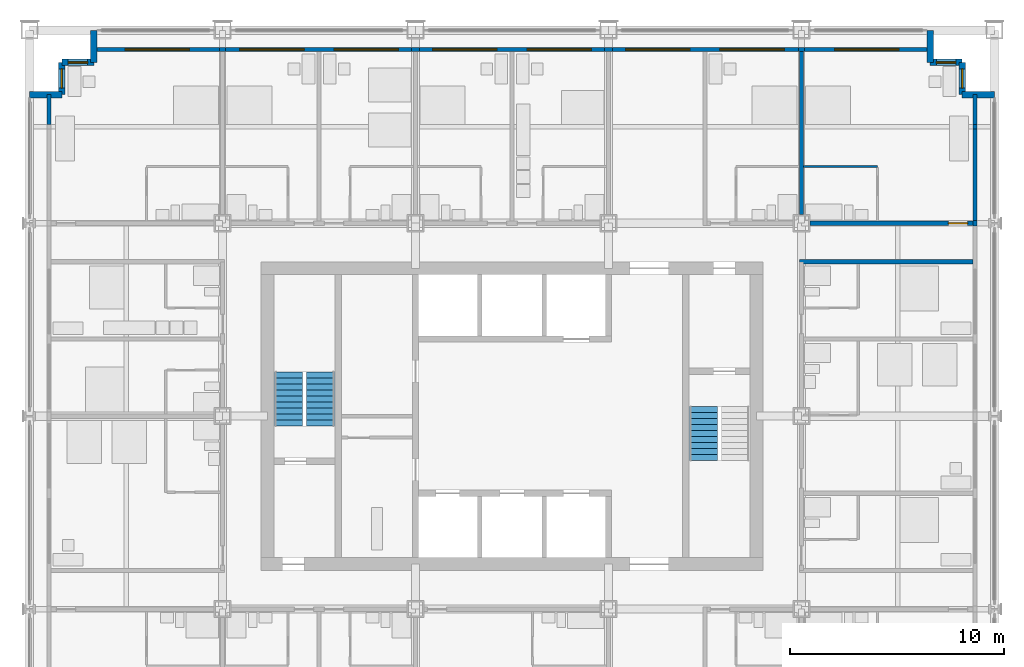
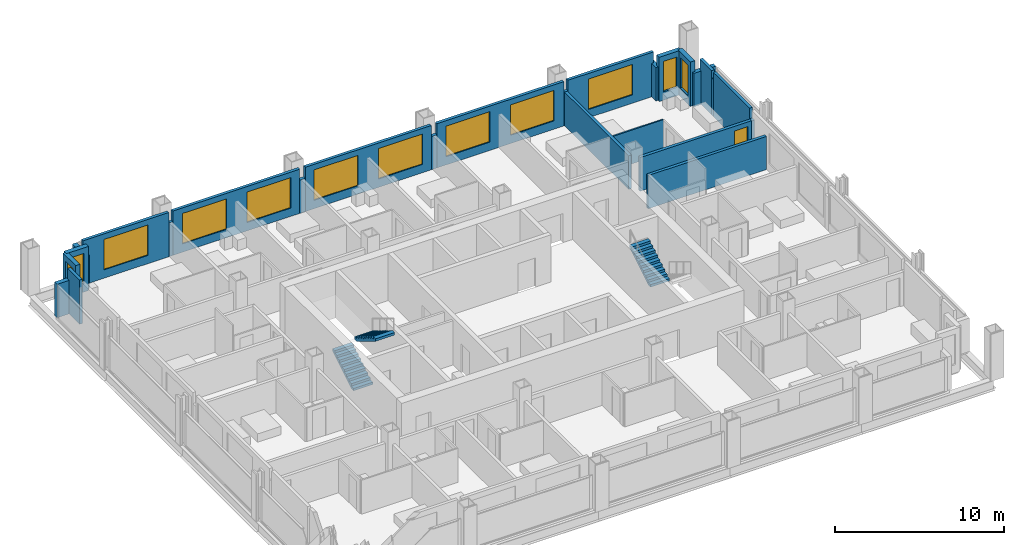
# One storey, part 13 of 17: 26 walls, 12 windows, 3 stair flights, 1 door, 13 openings, 2 elements without a shape of their own.
"""IFC4 building model written with IfcOpenShell, lengths in metres."""

from ifc_helpers import new_model, si_unit, direction, frame, frame_2d, origin, place, context, subcontext, project, spatial, polyline, rectangle, outline, extrude, material, layer, layer_set, type_object, element, fill, aggregate, save


model = new_model("IFC4")

# Units and contexts
model_context = context("Model", 3, precision=1e-05, world=origin(), true_north=direction((0.0, 1.0)))
body_context = subcontext(model_context, "Body", "Model", "MODEL_VIEW")
ifc_project = project(units=[si_unit("LENGTHUNIT", "METRE"), si_unit("AREAUNIT", "SQUARE_METRE"), si_unit("VOLUMEUNIT", "CUBIC_METRE"), si_unit("PLANEANGLEUNIT", "RADIAN"), si_unit("MASSUNIT", "GRAM", prefix="KILO")], contexts=[model_context])

# Site, building, storey
site_placement = place(None, origin())
site = spatial("IfcSite", under=ifc_project, at=site_placement, CompositionType="ELEMENT")
building_placement = place(site_placement, origin())
building = spatial("IfcBuilding", under=site, at=building_placement, Name="Loomwork Tower", CompositionType="ELEMENT")
storey_placement = place(building_placement, frame((0.0, 0.0, 141.800048828125)))
storey = spatial("IfcBuildingStorey", under=building, at=storey_placement, Name="L38", CompositionType="ELEMENT", Elevation=141.800048828125)

# Wall, opening, door
ifc_material_1 = material(Name="Gypsum board on steel studs, one-hour", Category="steel")
ifc_layer_1 = layer(ifc_material_1, 0.199951171875)
ifc_layer_set_1 = layer_set([ifc_layer_1], Name="Corridor wall 200")
wall_type_1 = type_object("IfcWallType", Name="Corridor wall 200", PredefinedType="PARTITIONING", material=ifc_layer_set_1)
wall_1_placement = place(storey_placement, frame((36.39990234375, 27.0, 0.0), z_axis=(0.0, 0.0, 1.0), x_axis=(1.0, 0.0, 0.0)))
wall_1 = element("IfcWall", 1, at=wall_1_placement, inside=storey, type_object=wall_type_1, Name="North corridor wall 5", PredefinedType="PARTITIONING", context=body_context, shape_type="SweptSolid", body=[
    extrude(rectangle(XDim=7.60009765625, YDim=0.199951171875, at=frame_2d((3.800048828125, 0.0))), origin(), (0.0, 0.0, 1.0), 2.43798828125),
])
opening_1_placement = place(wall_1_placement, frame((6.449951171875, 0.0, 0.0)))
opening_1 = element("IfcOpeningElement", 2, at=opening_1_placement, cuts=wall_1, Name="Opening D1", PredefinedType="OPENING", context=body_context, shape_type="SweptSolid", body=[
    extrude(rectangle(XDim=0.89990234375, YDim=2.10009765625, at=frame_2d((0.449951171875, 1.050048828125))), frame((0.0, 0.10986328125, 0.0), z_axis=(0.0, -1.0, 0.0), x_axis=(1.0, 0.0, 0.0)), (0.0, 0.0, 1.0), 0.219970703125),
])
ifc_material_2 = material(Name="Hollow metal door and frame")
door_type = type_object("IfcDoorType", Name="Guest room entry door 900", OperationType="SINGLE_SWING_LEFT", PredefinedType="DOOR", material=ifc_material_2)
door_placement = place(opening_1_placement, origin())
door = element("IfcDoor", 3, at=door_placement, inside=storey, type_object=door_type, Name="Guest room entry door L38 13", OperationType="SINGLE_SWING_RIGHT", OverallHeight=2.10009765625, OverallWidth=0.89990234375, PredefinedType="DOOR", context=body_context, shape_type="SweptSolid", body=[
    extrude(rectangle(XDim=0.89990234375, YDim=2.10009765625, at=frame_2d((0.449951171875, 1.050048828125))), frame((0.0, 0.02490234375, 0.0), z_axis=(0.0, -1.0, 0.0), x_axis=(1.0, 0.0, 0.0)), (0.0, 0.0, 1.0), 0.050048828125),
])
fill(opening_1, door)

# Walls
wall_2_placement = place(storey_placement, frame((35.89990234375, 25.199951171875, 0.0), z_axis=(0.0, 0.0, 1.0), x_axis=(1.0, 0.0, 0.0)))
element("IfcWall", 4, at=wall_2_placement, inside=storey, type_object=wall_type_1, Name="East band end wall N", PredefinedType="PARTITIONING", context=body_context, shape_type="SweptSolid", body=[
    extrude(rectangle(XDim=8.10009765625, YDim=0.199951171875, at=frame_2d((4.050048828125, 0.0))), origin(), (0.0, 0.0, 1.0), 2.404052734375),
])
ifc_material_3 = material(Name="Cement board on steel studs", Category="steel")
ifc_layer_2 = layer(ifc_material_3, 0.10009765625)
ifc_layer_set_2 = layer_set([ifc_layer_2], Name="En-suite partition 100")
wall_type_2 = type_object("IfcWallType", Name="En-suite partition 100", PredefinedType="PARTITIONING", material=ifc_layer_set_2)
wall_3_placement = place(storey_placement, frame((36.10009765625, 29.64990234375, 0.0), z_axis=(0.0, 0.0, 1.0), x_axis=(1.0, 0.0, 0.0)))
element("IfcWall", 5, at=wall_3_placement, inside=storey, type_object=wall_type_2, Name="En-suite wall L38 room 13", PredefinedType="PARTITIONING", context=body_context, shape_type="SweptSolid", body=[
    extrude(rectangle(XDim=3.449951171875, YDim=0.10009765625, at=frame_2d((1.72509765625, 0.0))), origin(), (0.0, 0.0, 1.0), 2.43798828125),
])
ifc_material_4 = material(Name="Gypsum board on steel studs, acoustic", Category="steel")
ifc_layer_3 = layer(ifc_material_4, 0.199951171875)
ifc_layer_set_3 = layer_set([ifc_layer_3], Name="Guest room party wall 200")
wall_type_3 = type_object("IfcWallType", Name="Guest room party wall 200", PredefinedType="PARTITIONING", material=ifc_layer_set_3)
wall_4_placement = place(storey_placement, frame((36.0, 27.39990234375, 0.0), z_axis=(0.0, 0.0, 1.0), x_axis=(0.0, 1.0, 0.0)))
element("IfcWall", 6, at=wall_4_placement, inside=storey, type_object=wall_type_3, Name="Guest room party wall N 36", PredefinedType="PARTITIONING", context=body_context, shape_type="SweptSolid", body=[
    extrude(rectangle(XDim=7.60009765625, YDim=0.199951171875, at=frame_2d((3.800048828125, 0.0))), origin(), (0.0, 0.0, 1.0), 2.43798828125),
])

# Wall, opening, window
ifc_material_5 = material(Name="Insulated steel stud wall with gypsum lining", Category="steel")
ifc_layer_4 = layer(ifc_material_5, 0.199951171875)
ifc_layer_set_4 = layer_set([ifc_layer_4], Name="Inner skin wall 200")
wall_type_4 = type_object("IfcWallType", Name="Inner skin wall 200", PredefinedType="SOLIDWALL", material=ifc_layer_set_4)
wall_5_placement = place(storey_placement, frame((3.0, 35.10009765625, 0.0), z_axis=(0.0, 0.0, 1.0), x_axis=(1.0, 0.0, 0.0)))
wall_5 = element("IfcWall", 7, at=wall_5_placement, inside=storey, type_object=wall_type_4, Name="Inner skin wall N", PredefinedType="SOLIDWALL", context=body_context, shape_type="SweptSolid", body=[
    extrude(rectangle(XDim=5.86474609375, YDim=0.199951171875, at=frame_2d((2.932373046875, 0.0))), origin(), (0.0, 0.0, 1.0), 3.199951171875),
])
opening_2_placement = place(wall_5_placement, frame((1.449951171875, 0.0, 0.60009765625)))
opening_2 = element("IfcOpeningElement", 8, at=opening_2_placement, cuts=wall_5, Name="Opening CH1", PredefinedType="OPENING", context=body_context, shape_type="SweptSolid", body=[
    extrude(rectangle(XDim=3.0, YDim=2.199951171875, at=frame_2d((1.5, 1.10009765625))), frame((0.0, 0.10986328125, 0.0), z_axis=(0.0, -1.0, 0.0), x_axis=(1.0, 0.0, 0.0)), (0.0, 0.0, 1.0), 0.219970703125),
])
ifc_material_6 = material(Name="Aluminium frame with clear insulated glass", Category="aluminium")
window_type_1 = type_object("IfcWindowType", Name="Chicago window 3000", PartitioningType="TRIPLE_PANEL_VERTICAL", PredefinedType="WINDOW", material=ifc_material_6)
window_1_placement = place(opening_2_placement, origin())
window_1 = element("IfcWindow", 9, at=window_1_placement, inside=storey, type_object=window_type_1, Name="Chicago window L38 bay 6", OverallHeight=2.199951171875, OverallWidth=3.0, PartitioningType="TRIPLE_PANEL_VERTICAL", PredefinedType="WINDOW", context=body_context, shape_type="SweptSolid", body=[
    extrude(rectangle(XDim=3.0, YDim=2.199951171875, at=frame_2d((1.5, 1.10009765625))), frame((0.0, 0.030029296875, 0.0), z_axis=(0.0, -1.0, 0.0), x_axis=(1.0, 0.0, 0.0)), (0.0, 0.0, 1.0), 0.06005859375),
])
fill(opening_2, window_1)

# Walls
wall_6_placement = place(storey_placement, frame((0.89990234375, 31.607421875, 0.0), z_axis=(0.0, 0.0, 1.0), x_axis=(0.0, 1.0, 0.0)))
element("IfcWall", 10, at=wall_6_placement, inside=storey, type_object=wall_type_4, Name="Inner skin wall W bay 11", PredefinedType="SOLIDWALL", context=body_context, shape_type="SweptSolid", body=[
    extrude(rectangle(XDim=1.392578125, YDim=0.199951171875, at=frame_2d((0.6962890625, 0.0))), origin(), (0.0, 0.0, 1.0), 3.199951171875),
])
wall_7_placement = place(storey_placement, frame((8.86474609375, 35.10009765625, 0.0), z_axis=(0.0, 0.0, 1.0), x_axis=(1.0, 0.0, 0.0)))
element("IfcWall", 11, at=wall_7_placement, inside=storey, type_object=wall_type_4, Name="Inner skin wall N bay 2", PredefinedType="SOLIDWALL", context=body_context, shape_type="SweptSolid", body=[
    extrude(rectangle(XDim=0.2705078125, YDim=0.199951171875, at=frame_2d((0.13525390625, 0.0))), origin(), (0.0, 0.0, 1.0), 2.43798828125),
])

# Wall, openings, windows
wall_8_placement = place(storey_placement, frame((9.13525390625, 35.10009765625, 0.0), z_axis=(0.0, 0.0, 1.0), x_axis=(1.0, 0.0, 0.0)))
wall_8 = element("IfcWall", 12, at=wall_8_placement, inside=storey, type_object=wall_type_4, Name="Inner skin wall N bay 3", PredefinedType="SOLIDWALL", context=body_context, shape_type="SweptSolid", body=[
    extrude(rectangle(XDim=8.6708984375, YDim=0.199951171875, at=frame_2d((4.33544921875, 0.0))), origin(), (0.0, 0.0, 1.0), 3.199951171875),
])
opening_3_placement = place(wall_8_placement, frame((0.664794921875, 0.0, 0.60009765625)))
opening_3 = element("IfcOpeningElement", 13, at=opening_3_placement, cuts=wall_8, Name="Opening CH1", PredefinedType="OPENING", context=body_context, shape_type="SweptSolid", body=[
    extrude(rectangle(XDim=3.0, YDim=2.199951171875, at=frame_2d((1.5, 1.10009765625))), frame((0.0, 0.10986328125, 0.0), z_axis=(0.0, -1.0, 0.0), x_axis=(1.0, 0.0, 0.0)), (0.0, 0.0, 1.0), 0.219970703125),
])
opening_4_placement = place(wall_8_placement, frame((5.064697265625, 0.0, 0.60009765625)))
opening_4 = element("IfcOpeningElement", 14, at=opening_4_placement, cuts=wall_8, Name="Opening CH1", PredefinedType="OPENING", context=body_context, shape_type="SweptSolid", body=[
    extrude(rectangle(XDim=3.0, YDim=2.199951171875, at=frame_2d((1.5, 1.10009765625))), frame((0.0, 0.10986328125, 0.0), z_axis=(0.0, -1.0, 0.0), x_axis=(1.0, 0.0, 0.0)), (0.0, 0.0, 1.0), 0.219970703125),
])
window_2_placement = place(opening_3_placement, origin())
window_2 = element("IfcWindow", 15, at=window_2_placement, inside=storey, type_object=window_type_1, Name="Chicago window L38 bay 7", OverallHeight=2.199951171875, OverallWidth=3.0, PartitioningType="TRIPLE_PANEL_VERTICAL", PredefinedType="WINDOW", context=body_context, shape_type="SweptSolid", body=[
    extrude(rectangle(XDim=3.0, YDim=2.199951171875, at=frame_2d((1.5, 1.10009765625))), frame((0.0, 0.030029296875, 0.0), z_axis=(0.0, -1.0, 0.0), x_axis=(1.0, 0.0, 0.0)), (0.0, 0.0, 1.0), 0.06005859375),
])
fill(opening_3, window_2)
window_3_placement = place(opening_4_placement, origin())
window_3 = element("IfcWindow", 16, at=window_3_placement, inside=storey, type_object=window_type_1, Name="Chicago window L38 bay 7", OverallHeight=2.199951171875, OverallWidth=3.0, PartitioningType="TRIPLE_PANEL_VERTICAL", PredefinedType="WINDOW", context=body_context, shape_type="SweptSolid", body=[
    extrude(rectangle(XDim=3.0, YDim=2.199951171875, at=frame_2d((1.5, 1.10009765625))), frame((0.0, 0.030029296875, 0.0), z_axis=(0.0, -1.0, 0.0), x_axis=(1.0, 0.0, 0.0)), (0.0, 0.0, 1.0), 0.06005859375),
])
fill(opening_4, window_3)

# Wall
wall_9_placement = place(storey_placement, frame((17.80615234375, 35.10009765625, 0.0), z_axis=(0.0, 0.0, 1.0), x_axis=(1.0, 0.0, 0.0)))
element("IfcWall", 17, at=wall_9_placement, inside=storey, type_object=wall_type_4, Name="Inner skin wall N bay 4", PredefinedType="SOLIDWALL", context=body_context, shape_type="SweptSolid", body=[
    extrude(rectangle(XDim=0.3876953125, YDim=0.199951171875, at=frame_2d((0.19384765625, 0.0))), origin(), (0.0, 0.0, 1.0), 2.404052734375),
])

# Wall, openings, windows
wall_10_placement = place(storey_placement, frame((18.19384765625, 35.10009765625, 0.0), z_axis=(0.0, 0.0, 1.0), x_axis=(1.0, 0.0, 0.0)))
wall_10 = element("IfcWall", 18, at=wall_10_placement, inside=storey, type_object=wall_type_4, Name="Inner skin wall N bay 5", PredefinedType="SOLIDWALL", context=body_context, shape_type="SweptSolid", body=[
    extrude(rectangle(XDim=8.6123046875, YDim=0.199951171875, at=frame_2d((4.30615234375, 0.0))), origin(), (0.0, 0.0, 1.0), 3.199951171875),
])
opening_5_placement = place(wall_10_placement, frame((0.606201171875, 0.0, 0.60009765625)))
opening_5 = element("IfcOpeningElement", 19, at=opening_5_placement, cuts=wall_10, Name="Opening CH1", PredefinedType="OPENING", context=body_context, shape_type="SweptSolid", body=[
    extrude(rectangle(XDim=3.0, YDim=2.199951171875, at=frame_2d((1.5, 1.10009765625))), frame((0.0, 0.10986328125, 0.0), z_axis=(0.0, -1.0, 0.0), x_axis=(1.0, 0.0, 0.0)), (0.0, 0.0, 1.0), 0.219970703125),
])
opening_6_placement = place(wall_10_placement, frame((5.006103515625, 0.0, 0.60009765625)))
opening_6 = element("IfcOpeningElement", 20, at=opening_6_placement, cuts=wall_10, Name="Opening CH1", PredefinedType="OPENING", context=body_context, shape_type="SweptSolid", body=[
    extrude(rectangle(XDim=3.0, YDim=2.199951171875, at=frame_2d((1.5, 1.10009765625))), frame((0.0, 0.10986328125, 0.0), z_axis=(0.0, -1.0, 0.0), x_axis=(1.0, 0.0, 0.0)), (0.0, 0.0, 1.0), 0.219970703125),
])
window_4_placement = place(opening_5_placement, origin())
window_4 = element("IfcWindow", 21, at=window_4_placement, inside=storey, type_object=window_type_1, Name="Chicago window L38 bay 8", OverallHeight=2.199951171875, OverallWidth=3.0, PartitioningType="TRIPLE_PANEL_VERTICAL", PredefinedType="WINDOW", context=body_context, shape_type="SweptSolid", body=[
    extrude(rectangle(XDim=3.0, YDim=2.199951171875, at=frame_2d((1.5, 1.10009765625))), frame((0.0, 0.030029296875, 0.0), z_axis=(0.0, -1.0, 0.0), x_axis=(1.0, 0.0, 0.0)), (0.0, 0.0, 1.0), 0.06005859375),
])
fill(opening_5, window_4)
window_5_placement = place(opening_6_placement, origin())
window_5 = element("IfcWindow", 22, at=window_5_placement, inside=storey, type_object=window_type_1, Name="Chicago window L38 bay 8", OverallHeight=2.199951171875, OverallWidth=3.0, PartitioningType="TRIPLE_PANEL_VERTICAL", PredefinedType="WINDOW", context=body_context, shape_type="SweptSolid", body=[
    extrude(rectangle(XDim=3.0, YDim=2.199951171875, at=frame_2d((1.5, 1.10009765625))), frame((0.0, 0.030029296875, 0.0), z_axis=(0.0, -1.0, 0.0), x_axis=(1.0, 0.0, 0.0)), (0.0, 0.0, 1.0), 0.06005859375),
])
fill(opening_6, window_5)

# Wall
wall_11_placement = place(storey_placement, frame((26.80615234375, 35.10009765625, 0.0), z_axis=(0.0, 0.0, 1.0), x_axis=(1.0, 0.0, 0.0)))
element("IfcWall", 23, at=wall_11_placement, inside=storey, type_object=wall_type_4, Name="Inner skin wall N bay 6", PredefinedType="SOLIDWALL", context=body_context, shape_type="SweptSolid", body=[
    extrude(rectangle(XDim=0.3876953125, YDim=0.199951171875, at=frame_2d((0.19384765625, 0.0))), origin(), (0.0, 0.0, 1.0), 2.404052734375),
])

# Wall, openings, windows
wall_12_placement = place(storey_placement, frame((27.19384765625, 35.10009765625, 0.0), z_axis=(0.0, 0.0, 1.0), x_axis=(1.0, 0.0, 0.0)))
wall_12 = element("IfcWall", 24, at=wall_12_placement, inside=storey, type_object=wall_type_4, Name="Inner skin wall N bay 7", PredefinedType="SOLIDWALL", context=body_context, shape_type="SweptSolid", body=[
    extrude(rectangle(XDim=8.670654296875, YDim=0.199951171875, at=frame_2d((4.33544921875, 0.0))), origin(), (0.0, 0.0, 1.0), 3.199951171875),
])
opening_7_placement = place(wall_12_placement, frame((0.606201171875, 0.0, 0.60009765625)))
opening_7 = element("IfcOpeningElement", 25, at=opening_7_placement, cuts=wall_12, Name="Opening CH1", PredefinedType="OPENING", context=body_context, shape_type="SweptSolid", body=[
    extrude(rectangle(XDim=3.0, YDim=2.199951171875, at=frame_2d((1.5, 1.10009765625))), frame((0.0, 0.10986328125, 0.0), z_axis=(0.0, -1.0, 0.0), x_axis=(1.0, 0.0, 0.0)), (0.0, 0.0, 1.0), 0.219970703125),
])
opening_8_placement = place(wall_12_placement, frame((5.006103515625, 0.0, 0.60009765625)))
opening_8 = element("IfcOpeningElement", 26, at=opening_8_placement, cuts=wall_12, Name="Opening CH1", PredefinedType="OPENING", context=body_context, shape_type="SweptSolid", body=[
    extrude(rectangle(XDim=3.0, YDim=2.199951171875, at=frame_2d((1.5, 1.10009765625))), frame((0.0, 0.10986328125, 0.0), z_axis=(0.0, -1.0, 0.0), x_axis=(1.0, 0.0, 0.0)), (0.0, 0.0, 1.0), 0.219970703125),
])
window_6_placement = place(opening_7_placement, origin())
window_6 = element("IfcWindow", 27, at=window_6_placement, inside=storey, type_object=window_type_1, Name="Chicago window L38 bay 9", OverallHeight=2.199951171875, OverallWidth=3.0, PartitioningType="TRIPLE_PANEL_VERTICAL", PredefinedType="WINDOW", context=body_context, shape_type="SweptSolid", body=[
    extrude(rectangle(XDim=3.0, YDim=2.199951171875, at=frame_2d((1.5, 1.10009765625))), frame((0.0, 0.030029296875, 0.0), z_axis=(0.0, -1.0, 0.0), x_axis=(1.0, 0.0, 0.0)), (0.0, 0.0, 1.0), 0.06005859375),
])
fill(opening_7, window_6)
window_7_placement = place(opening_8_placement, origin())
window_7 = element("IfcWindow", 28, at=window_7_placement, inside=storey, type_object=window_type_1, Name="Chicago window L38 bay 9", OverallHeight=2.199951171875, OverallWidth=3.0, PartitioningType="TRIPLE_PANEL_VERTICAL", PredefinedType="WINDOW", context=body_context, shape_type="SweptSolid", body=[
    extrude(rectangle(XDim=3.0, YDim=2.199951171875, at=frame_2d((1.5, 1.10009765625))), frame((0.0, 0.030029296875, 0.0), z_axis=(0.0, -1.0, 0.0), x_axis=(1.0, 0.0, 0.0)), (0.0, 0.0, 1.0), 0.06005859375),
])
fill(opening_8, window_7)

# Wall
wall_13_placement = place(storey_placement, frame((35.864501953125, 35.10009765625, 0.0), z_axis=(0.0, 0.0, 1.0), x_axis=(1.0, 0.0, 0.0)))
element("IfcWall", 29, at=wall_13_placement, inside=storey, type_object=wall_type_4, Name="Inner skin wall N bay 8", PredefinedType="SOLIDWALL", context=body_context, shape_type="SweptSolid", body=[
    extrude(rectangle(XDim=0.27099609375, YDim=0.199951171875, at=frame_2d((0.135498046875, 0.0))), origin(), (0.0, 0.0, 1.0), 2.43798828125),
])

# Wall, opening, window
wall_14_placement = place(storey_placement, frame((36.135498046875, 35.10009765625, 0.0), z_axis=(0.0, 0.0, 1.0), x_axis=(1.0, 0.0, 0.0)))
wall_14 = element("IfcWall", 30, at=wall_14_placement, inside=storey, type_object=wall_type_4, Name="Inner skin wall N bay 9", PredefinedType="SOLIDWALL", context=body_context, shape_type="SweptSolid", body=[
    extrude(rectangle(XDim=5.864501953125, YDim=0.199951171875, at=frame_2d((2.93212890625, 0.0))), origin(), (0.0, 0.0, 1.0), 3.199951171875),
])
opening_9_placement = place(wall_14_placement, frame((1.41455078125, 0.0, 0.60009765625)))
opening_9 = element("IfcOpeningElement", 31, at=opening_9_placement, cuts=wall_14, Name="Opening CH1", PredefinedType="OPENING", context=body_context, shape_type="SweptSolid", body=[
    extrude(rectangle(XDim=3.0, YDim=2.199951171875, at=frame_2d((1.5, 1.10009765625))), frame((0.0, 0.10986328125, 0.0), z_axis=(0.0, -1.0, 0.0), x_axis=(1.0, 0.0, 0.0)), (0.0, 0.0, 1.0), 0.219970703125),
])
window_8_placement = place(opening_9_placement, origin())
window_8 = element("IfcWindow", 32, at=window_8_placement, inside=storey, type_object=window_type_1, Name="Chicago window L38 bay 10", OverallHeight=2.199951171875, OverallWidth=3.0, PartitioningType="TRIPLE_PANEL_VERTICAL", PredefinedType="WINDOW", context=body_context, shape_type="SweptSolid", body=[
    extrude(rectangle(XDim=3.0, YDim=2.199951171875, at=frame_2d((1.5, 1.10009765625))), frame((0.0, 0.030029296875, 0.0), z_axis=(0.0, -1.0, 0.0), x_axis=(1.0, 0.0, 0.0)), (0.0, 0.0, 1.0), 0.06005859375),
])
fill(opening_9, window_8)

# Walls
wall_15_placement = place(storey_placement, frame((44.10009765625, 26.86474609375, 0.0), z_axis=(0.0, 0.0, 1.0), x_axis=(0.0, 1.0, 0.0)))
element("IfcWall", 33, at=wall_15_placement, inside=storey, type_object=wall_type_4, Name="Inner skin wall E bay 8", PredefinedType="SOLIDWALL", context=body_context, shape_type="SweptSolid", body=[
    extrude(rectangle(XDim=0.2705078125, YDim=0.199951171875, at=frame_2d((0.13525390625, 0.0))), origin(), (0.0, 0.0, 1.0), 2.43798828125),
])
wall_16_placement = place(storey_placement, frame((44.10009765625, 27.13525390625, 0.0), z_axis=(0.0, 0.0, 1.0), x_axis=(0.0, 1.0, 0.0)))
element("IfcWall", 34, at=wall_16_placement, inside=storey, type_object=wall_type_4, Name="Inner skin wall E bay 9", PredefinedType="SOLIDWALL", context=body_context, shape_type="SweptSolid", body=[
    extrude(rectangle(XDim=4.25732421875, YDim=0.199951171875, at=frame_2d((2.128662109375, 0.0))), origin(), (0.0, 0.0, 1.0), 3.199951171875),
])
wall_17_placement = place(storey_placement, frame((44.10009765625, 31.392578125, 0.0), z_axis=(0.0, 0.0, 1.0), x_axis=(0.0, 1.0, 0.0)))
element("IfcWall", 35, at=wall_17_placement, inside=storey, type_object=wall_type_4, Name="Inner skin wall E bay 10", PredefinedType="SOLIDWALL", context=body_context, shape_type="SweptSolid", body=[
    extrude(rectangle(XDim=0.21484375, YDim=0.199951171875, at=frame_2d((0.107421875, 0.0))), origin(), (0.0, 0.0, 1.0), 2.660888671875),
])
wall_18_placement = place(storey_placement, frame((44.10009765625, 31.607421875, 0.0), z_axis=(0.0, 0.0, 1.0), x_axis=(0.0, 1.0, 0.0)))
element("IfcWall", 36, at=wall_18_placement, inside=storey, type_object=wall_type_4, Name="Inner skin wall E bay 11", PredefinedType="SOLIDWALL", context=body_context, shape_type="SweptSolid", body=[
    extrude(rectangle(XDim=1.392578125, YDim=0.199951171875, at=frame_2d((0.6962890625, 0.0))), origin(), (0.0, 0.0, 1.0), 3.199951171875),
])
ifc_material_7 = material(Name="Limestone on concrete masonry", Category="masonry")
ifc_layer_5 = layer(ifc_material_7, 0.300048828125)
ifc_layer_set_5 = layer_set([ifc_layer_5], Name="Limestone corner wall 300")
wall_type_5 = type_object("IfcWallType", Name="Limestone corner wall 300", PredefinedType="SOLIDWALL", material=ifc_layer_set_5)
wall_19_placement = place(storey_placement, frame((45.0, 33.0, 0.0), z_axis=(0.0, 0.0, 1.0), x_axis=(-1.0, 0.0, 0.0)))
element("IfcWall", 37, at=wall_19_placement, inside=storey, type_object=wall_type_5, Name="Stone corner wall NE 1", PredefinedType="SOLIDWALL", context=body_context, shape_type="SweptSolid", body=[
    extrude(rectangle(XDim=1.5, YDim=0.300048828125, at=frame_2d((0.75, 0.0))), origin(), (0.0, 0.0, 1.0), 2.419921875),
])

# Wall, opening, window
wall_20_placement = place(storey_placement, frame((43.5, 33.0, 0.0), z_axis=(0.0, 0.0, 1.0), x_axis=(0.0, 1.0, 0.0)))
wall_20 = element("IfcWall", 38, at=wall_20_placement, inside=storey, type_object=wall_type_5, Name="Stone corner wall NE 2", PredefinedType="SOLIDWALL", context=body_context, shape_type="SweptSolid", body=[
    extrude(rectangle(XDim=1.5, YDim=0.300048828125, at=frame_2d((0.75, 0.0))), origin(), (0.0, 0.0, 1.0), 3.199951171875),
])
opening_10_placement = place(wall_20_placement, frame((0.300048828125, 0.0, 0.60009765625)))
opening_10 = element("IfcOpeningElement", 39, at=opening_10_placement, cuts=wall_20, Name="Opening CH2", PredefinedType="OPENING", context=body_context, shape_type="SweptSolid", body=[
    extrude(rectangle(XDim=0.89990234375, YDim=2.199951171875, at=frame_2d((0.449951171875, 1.10009765625))), frame((0.0, 0.159912109375, 0.0), z_axis=(0.0, -1.0, 0.0), x_axis=(1.0, 0.0, 0.0)), (0.0, 0.0, 1.0), 0.320068359375),
])
ifc_material_8 = material(Name="Aluminium frame with clear insulated glass", Category="aluminium")
window_type_2 = type_object("IfcWindowType", Name="Corner window 900", PartitioningType="SINGLE_PANEL", PredefinedType="WINDOW", material=ifc_material_8)
window_9_placement = place(opening_10_placement, origin())
window_9 = element("IfcWindow", 40, at=window_9_placement, inside=storey, type_object=window_type_2, Name="Corner window NE", OverallHeight=2.199951171875, OverallWidth=0.89990234375, PartitioningType="SINGLE_PANEL", PredefinedType="WINDOW", context=body_context, shape_type="SweptSolid", body=[
    extrude(rectangle(XDim=0.89990234375, YDim=2.199951171875, at=frame_2d((0.449951171875, 1.10009765625))), frame((0.0, 0.030029296875, 0.0), z_axis=(0.0, -1.0, 0.0), x_axis=(1.0, 0.0, 0.0)), (0.0, 0.0, 1.0), 0.06005859375),
])
fill(opening_10, window_9)

wall_21_placement = place(storey_placement, frame((43.5, 34.5, 0.0), z_axis=(0.0, 0.0, 1.0), x_axis=(-1.0, 0.0, 0.0)))
wall_21 = element("IfcWall", 41, at=wall_21_placement, inside=storey, type_object=wall_type_5, Name="Stone corner wall NE 3", PredefinedType="SOLIDWALL", context=body_context, shape_type="SweptSolid", body=[
    extrude(rectangle(XDim=1.5, YDim=0.300048828125, at=frame_2d((0.75, 0.0))), origin(), (0.0, 0.0, 1.0), 3.199951171875),
])
opening_11_placement = place(wall_21_placement, frame((0.300048828125, 0.0, 0.60009765625)))
opening_11 = element("IfcOpeningElement", 42, at=opening_11_placement, cuts=wall_21, Name="Opening CH2", PredefinedType="OPENING", context=body_context, shape_type="SweptSolid", body=[
    extrude(rectangle(XDim=0.89990234375, YDim=2.199951171875, at=frame_2d((0.449951171875, 1.10009765625))), frame((0.0, 0.159912109375, 0.0), z_axis=(0.0, -1.0, 0.0), x_axis=(1.0, 0.0, 0.0)), (0.0, 0.0, 1.0), 0.320068359375),
])
window_10_placement = place(opening_11_placement, origin())
window_10 = element("IfcWindow", 43, at=window_10_placement, inside=storey, type_object=window_type_2, Name="Corner window NE", OverallHeight=2.199951171875, OverallWidth=0.89990234375, PartitioningType="SINGLE_PANEL", PredefinedType="WINDOW", context=body_context, shape_type="SweptSolid", body=[
    extrude(rectangle(XDim=0.89990234375, YDim=2.199951171875, at=frame_2d((0.449951171875, 1.10009765625))), frame((0.0, 0.030029296875, 0.0), z_axis=(0.0, -1.0, 0.0), x_axis=(1.0, 0.0, 0.0)), (0.0, 0.0, 1.0), 0.06005859375),
])
fill(opening_11, window_10)

# Walls
for number, where, z_axis, x_axis, name in (
    (44, (42.0, 34.5, 0.0), (0.0, 0.0, 1.0), (0.0, 1.0, 0.0), "Stone corner wall NE 4"),
    (45, (3.0, 36.0, 0.0), (0.0, 0.0, 1.0), (0.0, -1.0, 0.0), "Stone corner wall NW 1"),
):
    element("IfcWall", number, at=place(storey_placement, frame(where, z_axis=z_axis, x_axis=x_axis)), inside=storey, type_object=wall_type_5, Name=name, PredefinedType="SOLIDWALL", context=body_context, shape_type="SweptSolid", body=[
        extrude(rectangle(XDim=1.5, YDim=0.300048828125, at=frame_2d((0.75, 0.0))), origin(), (0.0, 0.0, 1.0), 2.419921875),
    ])

# Wall, opening, window
wall_22_placement = place(storey_placement, frame((3.0, 34.5, 0.0), z_axis=(0.0, 0.0, 1.0), x_axis=(-1.0, 0.0, 0.0)))
wall_22 = element("IfcWall", 46, at=wall_22_placement, inside=storey, type_object=wall_type_5, Name="Stone corner wall NW 2", PredefinedType="SOLIDWALL", context=body_context, shape_type="SweptSolid", body=[
    extrude(rectangle(XDim=1.5, YDim=0.300048828125, at=frame_2d((0.75, 0.0))), origin(), (0.0, 0.0, 1.0), 3.199951171875),
])
opening_12_placement = place(wall_22_placement, frame((0.300048828125, 0.0, 0.60009765625)))
opening_12 = element("IfcOpeningElement", 47, at=opening_12_placement, cuts=wall_22, Name="Opening CH2", PredefinedType="OPENING", context=body_context, shape_type="SweptSolid", body=[
    extrude(rectangle(XDim=0.89990234375, YDim=2.199951171875, at=frame_2d((0.449951171875, 1.10009765625))), frame((0.0, 0.159912109375, 0.0), z_axis=(0.0, -1.0, 0.0), x_axis=(1.0, 0.0, 0.0)), (0.0, 0.0, 1.0), 0.320068359375),
])
window_11_placement = place(opening_12_placement, origin())
window_11 = element("IfcWindow", 48, at=window_11_placement, inside=storey, type_object=window_type_2, Name="Corner window NW", OverallHeight=2.199951171875, OverallWidth=0.89990234375, PartitioningType="SINGLE_PANEL", PredefinedType="WINDOW", context=body_context, shape_type="SweptSolid", body=[
    extrude(rectangle(XDim=0.89990234375, YDim=2.199951171875, at=frame_2d((0.449951171875, 1.10009765625))), frame((0.0, 0.030029296875, 0.0), z_axis=(0.0, -1.0, 0.0), x_axis=(1.0, 0.0, 0.0)), (0.0, 0.0, 1.0), 0.06005859375),
])
fill(opening_12, window_11)

wall_23_placement = place(storey_placement, frame((1.5, 34.5, 0.0), z_axis=(0.0, 0.0, 1.0), x_axis=(0.0, -1.0, 0.0)))
wall_23 = element("IfcWall", 49, at=wall_23_placement, inside=storey, type_object=wall_type_5, Name="Stone corner wall NW 3", PredefinedType="SOLIDWALL", context=body_context, shape_type="SweptSolid", body=[
    extrude(rectangle(XDim=1.5, YDim=0.300048828125, at=frame_2d((0.75, 0.0))), origin(), (0.0, 0.0, 1.0), 3.199951171875),
])
opening_13_placement = place(wall_23_placement, frame((0.300048828125, 0.0, 0.60009765625)))
opening_13 = element("IfcOpeningElement", 50, at=opening_13_placement, cuts=wall_23, Name="Opening CH2", PredefinedType="OPENING", context=body_context, shape_type="SweptSolid", body=[
    extrude(rectangle(XDim=0.89990234375, YDim=2.199951171875, at=frame_2d((0.449951171875, 1.10009765625))), frame((0.0, 0.159912109375, 0.0), z_axis=(0.0, -1.0, 0.0), x_axis=(1.0, 0.0, 0.0)), (0.0, 0.0, 1.0), 0.320068359375),
])
window_12_placement = place(opening_13_placement, origin())
window_12 = element("IfcWindow", 51, at=window_12_placement, inside=storey, type_object=window_type_2, Name="Corner window NW", OverallHeight=2.199951171875, OverallWidth=0.89990234375, PartitioningType="SINGLE_PANEL", PredefinedType="WINDOW", context=body_context, shape_type="SweptSolid", body=[
    extrude(rectangle(XDim=0.89990234375, YDim=2.199951171875, at=frame_2d((0.449951171875, 1.10009765625))), frame((0.0, 0.030029296875, 0.0), z_axis=(0.0, -1.0, 0.0), x_axis=(1.0, 0.0, 0.0)), (0.0, 0.0, 1.0), 0.06005859375),
])
fill(opening_13, window_12)

# Wall
wall_24_placement = place(storey_placement, frame((1.5, 33.0, 0.0), z_axis=(0.0, 0.0, 1.0), x_axis=(-1.0, 0.0, 0.0)))
element("IfcWall", 52, at=wall_24_placement, inside=storey, type_object=wall_type_5, Name="Stone corner wall NW 4", PredefinedType="SOLIDWALL", context=body_context, shape_type="SweptSolid", body=[
    extrude(rectangle(XDim=1.5, YDim=0.300048828125, at=frame_2d((0.75, 0.0))), origin(), (0.0, 0.0, 1.0), 2.419921875),
])

# Stair, stair flights
ifc_material_9 = material(Name="Concrete 5000 psi (34 MPa) precast stair", Category="concrete")
stair_type_1 = type_object("IfcStairType", Name="Stair ST-A 20 risers 2850 wide", PredefinedType="HALF_TURN_STAIR", material=ifc_material_9)
stair_1_placement = place(storey_placement, origin())
stair_1 = element("IfcStair", 53, at=stair_1_placement, inside=storey, type_object=stair_type_1, Name="Stair A L38", PredefinedType="HALF_TURN_STAIR")
ifc_material_10 = material(Name="Concrete 5000 psi (34 MPa) precast stair", Category="concrete")
stair_flight_type_1 = type_object("IfcStairFlightType", Name="Stair flight ST-A 10 risers 1300 wide", PredefinedType="STRAIGHT", material=ifc_material_10)
stair_flight_1_placement = place(storey_placement, frame((12.074951171875, 17.550048828125, 0.0), z_axis=(0.0, 0.0, 1.0), x_axis=(0.0, 1.0, 0.0)))
stair_flight_1 = element("IfcStairFlight", 54, at=stair_flight_1_placement, type_object=stair_flight_type_1, Name="ST-A flight 1", NumberOfRisers=10, NumberOfTreads=9, PredefinedType="STRAIGHT", RiserHeight=0.17, TreadLength=0.28, context=body_context, shape_type="SweptSolid", body=[
    extrude(outline(polyline([(0.0, 0.0), (0.0, 0.169921875), (0.280029296875, 0.169921875), (0.280029296875, 0.340087890625), (0.56005859375, 0.340087890625), (0.56005859375, 0.510009765625), (0.840087890625, 0.510009765625), (0.840087890625, 0.679931640625), (1.1201171875, 0.679931640625), (1.1201171875, 0.85009765625), (1.39990234375, 0.85009765625), (1.39990234375, 1.02001953125), (1.679931640625, 1.02001953125), (1.679931640625, 1.18994140625), (1.9599609375, 1.18994140625), (1.9599609375, 1.360107421875), (2.239990234375, 1.360107421875), (2.239990234375, 1.530029296875), (2.52001953125, 1.530029296875), (2.52001953125, 1.699951171875), (2.52001953125, 1.354736328125), (0.288818359375, 0.0), (0.0, 0.0)])), frame((0.0, 0.64990234375, 0.0), z_axis=(0.0, -1.0, 0.0), x_axis=(1.0, 0.0, 0.0)), (0.0, 0.0, 1.0), 1.300048828125),
])
stair_flight_2_placement = place(storey_placement, frame((13.574951171875, 20.070068359375, 1.699951171875), z_axis=(0.0, 0.0, 1.0), x_axis=(0.0, -1.0, 0.0)))
stair_flight_2 = element("IfcStairFlight", 55, at=stair_flight_2_placement, type_object=stair_flight_type_1, Name="ST-A flight 2", NumberOfRisers=10, NumberOfTreads=9, PredefinedType="STRAIGHT", RiserHeight=0.17, TreadLength=0.28, context=body_context, shape_type="SweptSolid", body=[
    extrude(outline(polyline([(0.0, 0.0), (0.0, 0.169921875), (0.280029296875, 0.169921875), (0.280029296875, 0.340087890625), (0.56005859375, 0.340087890625), (0.56005859375, 0.510009765625), (0.840087890625, 0.510009765625), (0.840087890625, 0.679931640625), (1.1201171875, 0.679931640625), (1.1201171875, 0.85009765625), (1.39990234375, 0.85009765625), (1.39990234375, 1.02001953125), (1.679931640625, 1.02001953125), (1.679931640625, 1.18994140625), (1.9599609375, 1.18994140625), (1.9599609375, 1.360107421875), (2.239990234375, 1.360107421875), (2.239990234375, 1.530029296875), (2.52001953125, 1.530029296875), (2.52001953125, 1.699951171875), (2.52001953125, 1.354736328125), (0.288818359375, 0.0), (0.0, 0.0)])), frame((0.0, 0.64990234375, 0.0), z_axis=(0.0, -1.0, 0.0), x_axis=(1.0, 0.0, 0.0)), (0.0, 0.0, 1.0), 1.300048828125),
])
aggregate(stair_1, [stair_flight_1, stair_flight_2])

# Stair, stair flight
ifc_material_11 = material(Name="Concrete 5000 psi (34 MPa) precast stair", Category="concrete")
stair_type_2 = type_object("IfcStairType", Name="Stair ST-B 20 risers 2850 wide", PredefinedType="HALF_TURN_STAIR", material=ifc_material_11)
stair_2_placement = place(storey_placement, origin())
stair_2 = element("IfcStair", 56, at=stair_2_placement, inside=storey, type_object=stair_type_2, Name="Stair B L38", PredefinedType="HALF_TURN_STAIR")
ifc_material_12 = material(Name="Concrete 5000 psi (34 MPa) precast stair", Category="concrete")
stair_flight_type_2 = type_object("IfcStairFlightType", Name="Stair flight ST-B 10 risers 1300 wide", PredefinedType="STRAIGHT", material=ifc_material_12)
stair_flight_3_placement = place(storey_placement, frame((31.425048828125, 15.929931640625, 1.699951171875), z_axis=(0.0, 0.0, 1.0), x_axis=(0.0, 1.0, 0.0)))
stair_flight_3 = element("IfcStairFlight", 57, at=stair_flight_3_placement, type_object=stair_flight_type_2, Name="ST-B flight 2", NumberOfRisers=10, NumberOfTreads=9, PredefinedType="STRAIGHT", RiserHeight=0.17, TreadLength=0.28, context=body_context, shape_type="SweptSolid", body=[
    extrude(outline(polyline([(0.0, 0.0), (0.0, 0.169921875), (0.280029296875, 0.169921875), (0.280029296875, 0.340087890625), (0.56005859375, 0.340087890625), (0.56005859375, 0.510009765625), (0.840087890625, 0.510009765625), (0.840087890625, 0.679931640625), (1.1201171875, 0.679931640625), (1.1201171875, 0.85009765625), (1.39990234375, 0.85009765625), (1.39990234375, 1.02001953125), (1.679931640625, 1.02001953125), (1.679931640625, 1.18994140625), (1.9599609375, 1.18994140625), (1.9599609375, 1.360107421875), (2.239990234375, 1.360107421875), (2.239990234375, 1.530029296875), (2.52001953125, 1.530029296875), (2.52001953125, 1.699951171875), (2.52001953125, 1.354736328125), (0.288818359375, 0.0), (0.0, 0.0)])), frame((0.0, 0.64990234375, 0.0), z_axis=(0.0, -1.0, 0.0), x_axis=(1.0, 0.0, 0.0)), (0.0, 0.0, 1.0), 1.300048828125),
])
aggregate(stair_2, [stair_flight_3])

save(model, "model.ifc")
